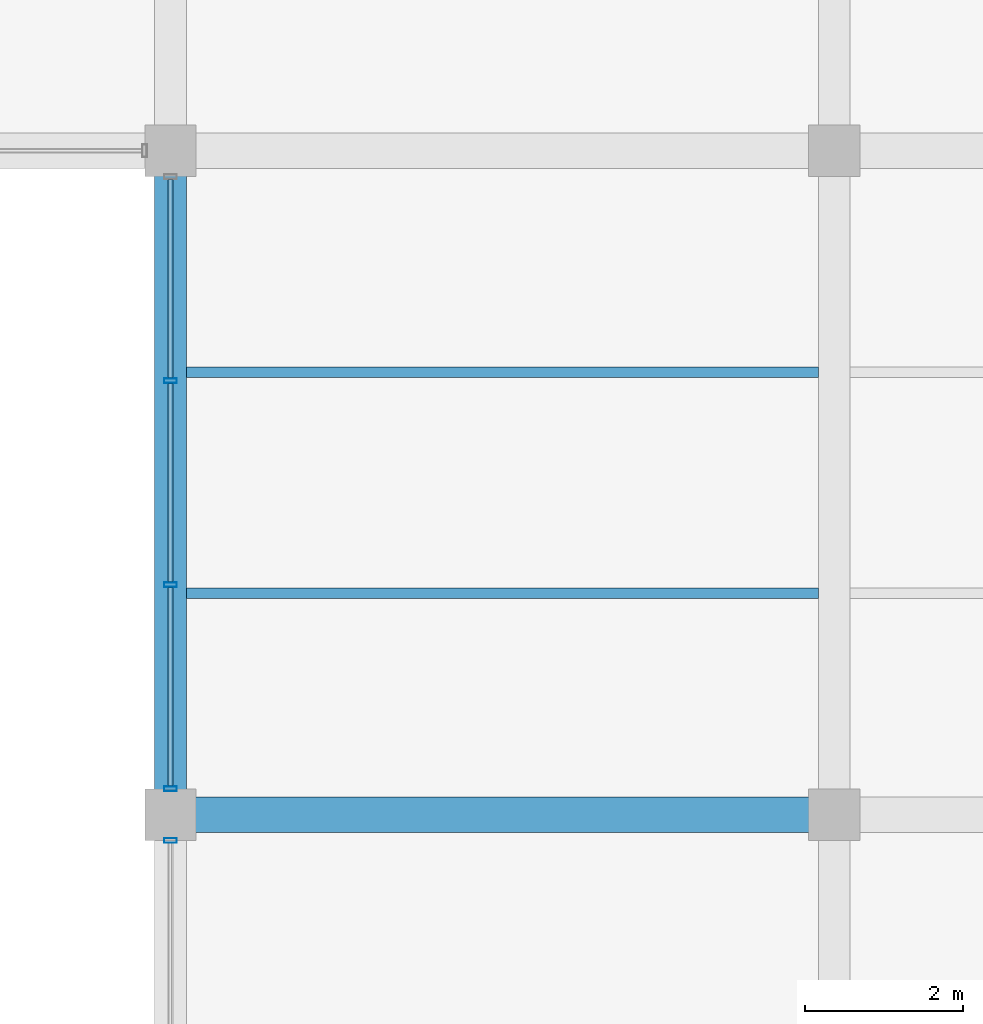
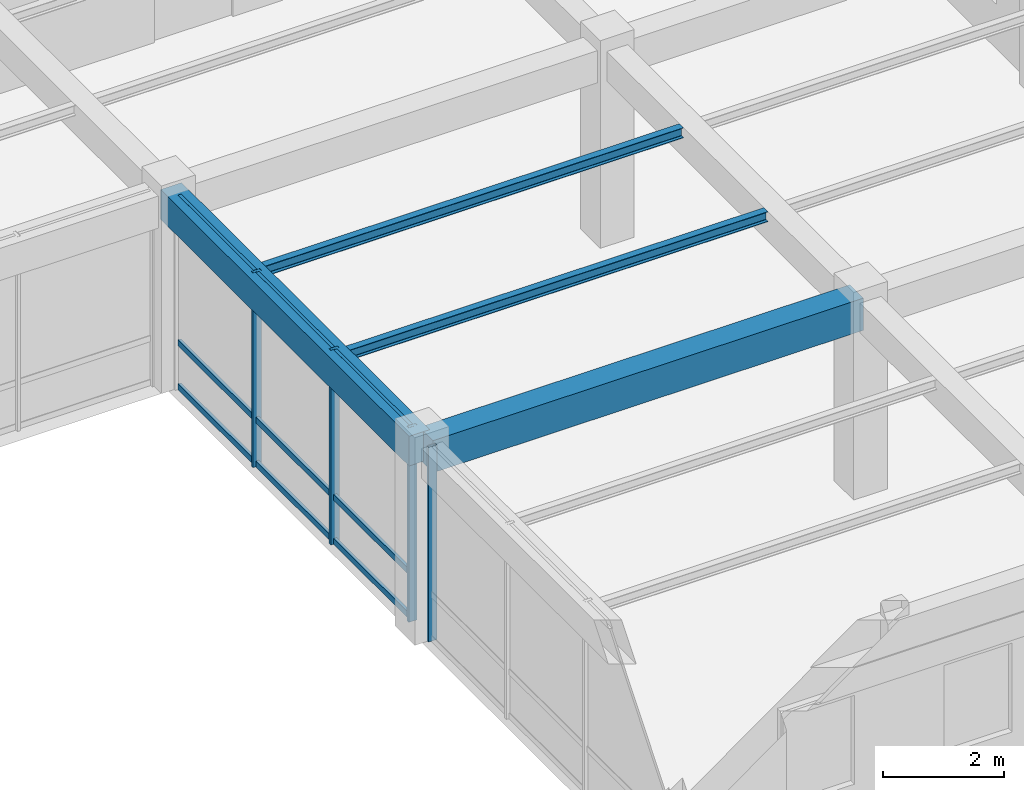
# One storey, part 18 of 138: 13 members, 4 beams, 2 elements without a shape of their own.
"""IFC4 building model written with IfcOpenShell, lengths in metres."""

from ifc_helpers import new_model, si_unit, direction, frame, origin, origin_2d, place, context, subcontext, project, spatial, rectangle, hollow_rectangle, i_section, extrude, material, material_profile, profile_set, type_object, element, aggregate, save


model = new_model("IFC4")

# Units and contexts
model_context = context("Model", 3, precision=1e-05, world=origin(), true_north=direction((0.0, 1.0)))
body_context = subcontext(model_context, "Body", "Model", "MODEL_VIEW")
ifc_project = project(units=[si_unit("LENGTHUNIT", "METRE"), si_unit("AREAUNIT", "SQUARE_METRE"), si_unit("VOLUMEUNIT", "CUBIC_METRE"), si_unit("PLANEANGLEUNIT", "RADIAN"), si_unit("MASSUNIT", "GRAM", prefix="KILO"), si_unit("THERMODYNAMICTEMPERATUREUNIT", "KELVIN"), si_unit("POWERUNIT", "WATT")], contexts=[model_context])

# Site, building, storey
site_placement = place(None, origin())
site = spatial("IfcSite", under=ifc_project, at=site_placement, CompositionType="ELEMENT")
building_placement = place(site_placement, origin())
building = spatial("IfcBuilding", under=site, at=building_placement, Name="Darbajah Civic Hall", CompositionType="ELEMENT")
storey_placement = place(building_placement, frame((0.0, 0.0, 9.60009765625)))
storey = spatial("IfcBuildingStorey", under=building, at=storey_placement, Name="L02", CompositionType="ELEMENT", Elevation=9.60009765625)

# Curtain wall, members
ifc_material_1 = material(Name="Anodised Bronze Aluminium and Low-E Glazing", Category="aluminium")
curtain_wall_type = type_object("IfcCurtainWallType", Name="Unitised Curtain Wall CW-99 7700x3950", PredefinedType="USERDEFINED", material=ifc_material_1)
curtain_wall_1_placement = place(storey_placement, origin())
curtain_wall_1 = element("IfcCurtainWall", 1, at=curtain_wall_1_placement, inside=storey, type_object=curtain_wall_type, Name="L02 unitised curtain wall CW-V5-L02-S3-B0", ObjectType="UNITISED CURTAIN WALL", PredefinedType="USERDEFINED")
ifc_material_2 = material(Name="Anodised Bronze Aluminium", Category="aluminium")
ifc_material_profile_1 = material_profile(ifc_material_2, hollow_rectangle(XDim=0.06005859375, YDim=0.159912109375, WallThickness=0.00341796875, at=origin_2d()), Name="ALU MULLION 60x160")
ifc_profile_set_1 = profile_set([ifc_material_profile_1], Name="Anodised Bronze Aluminium")
member_type_1 = type_object("IfcMemberType", Name="ALU MULLION 60x160", PredefinedType="MULLION", material=ifc_profile_set_1)
member_1_placement = place(storey_placement, frame((50.39990234375, 13.89111328125, 0.0), z_axis=(0.0, 0.0, 1.0), x_axis=(0.0, -1.0, 0.0)))
member_1 = element("IfcMember", 2, at=member_1_placement, type_object=member_type_1, Name="CW-V5-L02-S3-B0 mullion 2", PredefinedType="MULLION", context=body_context, shape_type="SweptSolid", body=[
    extrude(hollow_rectangle(XDim=0.06005859375, YDim=0.159912109375, WallThickness=0.00341796875, at=origin_2d()), origin(), (0.0, 0.0, 1.0), 3.93994140625),
])
member_2_placement = place(storey_placement, frame((50.39990234375, 11.30908203125, 0.0), z_axis=(0.0, 0.0, 1.0), x_axis=(0.0, -1.0, 0.0)))
member_2 = element("IfcMember", 3, at=member_2_placement, type_object=member_type_1, Name="CW-V5-L02-S3-B0 mullion 3", PredefinedType="MULLION", context=body_context, shape_type="SweptSolid", body=[
    extrude(hollow_rectangle(XDim=0.06005859375, YDim=0.159912109375, WallThickness=0.00341796875, at=origin_2d()), origin(), (0.0, 0.0, 1.0), 3.93994140625),
])
member_3_placement = place(storey_placement, frame((50.39990234375, 8.72705078125, 0.0), z_axis=(0.0, 0.0, 1.0), x_axis=(0.0, -1.0, 0.0)))
member_3 = element("IfcMember", 4, at=member_3_placement, type_object=member_type_1, Name="CW-V5-L02-S3-B0 mullion 4", PredefinedType="MULLION", context=body_context, shape_type="SweptSolid", body=[
    extrude(hollow_rectangle(XDim=0.06005859375, YDim=0.159912109375, WallThickness=0.00341796875, at=origin_2d()), origin(), (0.0, 0.0, 1.0), 3.93994140625),
])

# Curtain wall, member
curtain_wall_2_placement = place(storey_placement, origin())
curtain_wall_2 = element("IfcCurtainWall", 5, at=curtain_wall_2_placement, inside=storey, type_object=curtain_wall_type, Name="L02 unitised curtain wall CW-V5-L02-S3-B1", ObjectType="UNITISED CURTAIN WALL", PredefinedType="USERDEFINED")
member_4_placement = place(storey_placement, frame((50.39990234375, 8.072998046875, 0.0), z_axis=(0.0, 0.0, 1.0), x_axis=(0.0, -1.0, 0.0)))
member_4 = element("IfcMember", 6, at=member_4_placement, type_object=member_type_1, Name="CW-V5-L02-S3-B1 mullion 1", PredefinedType="MULLION", context=body_context, shape_type="SweptSolid", body=[
    extrude(hollow_rectangle(XDim=0.06005859375, YDim=0.159912109375, WallThickness=0.00341796875, at=origin_2d()), origin(), (0.0, 0.0, 1.0), 3.93994140625),
])
aggregate(curtain_wall_2, [member_4])

# Member
ifc_material_profile_2 = material_profile(ifc_material_2, hollow_rectangle(XDim=0.06005859375, YDim=0.1201171875, WallThickness=0.003173828125, at=origin_2d()), Name="ALU TRANSOM 60x120")
ifc_profile_set_2 = profile_set([ifc_material_profile_2], Name="Anodised Bronze Aluminium")
member_type_2 = type_object("IfcMemberType", Name="ALU TRANSOM 60x120", PredefinedType="USERDEFINED", material=ifc_profile_set_2)
member_5_placement = place(storey_placement, frame((50.39990234375, 16.43798828125, 0.059814453125), z_axis=(0.0, -1.0, 0.0), x_axis=(1.0, 0.0, 0.0)))
member_5 = element("IfcMember", 7, at=member_5_placement, type_object=member_type_2, Name="CW-V5-L02-S3-B0 transom 1.1", ObjectType="TRANSOM", PredefinedType="USERDEFINED", context=body_context, shape_type="SweptSolid", body=[
    extrude(hollow_rectangle(XDim=0.06005859375, YDim=0.1201171875, WallThickness=0.003173828125, at=origin_2d()), origin(), (0.0, 0.0, 1.0), 2.511962890625),
])

member_6_placement = place(storey_placement, frame((50.39990234375, 16.43798828125, 0.949951171875), z_axis=(0.0, -1.0, 0.0), x_axis=(1.0, 0.0, 0.0)))
member_6 = element("IfcMember", 8, at=member_6_placement, type_object=member_type_2, Name="CW-V5-L02-S3-B0 transom 1.2", ObjectType="TRANSOM", PredefinedType="USERDEFINED", context=body_context, shape_type="SweptSolid", body=[
    extrude(hollow_rectangle(XDim=0.06005859375, YDim=0.1201171875, WallThickness=0.003173828125, at=origin_2d()), origin(), (0.0, 0.0, 1.0), 2.511962890625),
])

member_7_placement = place(storey_placement, frame((50.39990234375, 16.43798828125, 3.8798828125), z_axis=(0.0, -1.0, 0.0), x_axis=(1.0, 0.0, 0.0)))
member_7 = element("IfcMember", 9, at=member_7_placement, type_object=member_type_2, Name="CW-V5-L02-S3-B0 transom 1.3", ObjectType="TRANSOM", PredefinedType="USERDEFINED", context=body_context, shape_type="SweptSolid", body=[
    extrude(hollow_rectangle(XDim=0.06005859375, YDim=0.1201171875, WallThickness=0.003173828125, at=origin_2d()), origin(), (0.0, 0.0, 1.0), 2.511962890625),
])

member_8_placement = place(storey_placement, frame((50.39990234375, 13.85595703125, 0.059814453125), z_axis=(0.0, -1.0, 0.0), x_axis=(1.0, 0.0, 0.0)))
member_8 = element("IfcMember", 10, at=member_8_placement, type_object=member_type_2, Name="CW-V5-L02-S3-B0 transom 2.1", ObjectType="TRANSOM", PredefinedType="USERDEFINED", context=body_context, shape_type="SweptSolid", body=[
    extrude(hollow_rectangle(XDim=0.06005859375, YDim=0.1201171875, WallThickness=0.003173828125, at=origin_2d()), origin(), (0.0, 0.0, 1.0), 2.511962890625),
])

member_9_placement = place(storey_placement, frame((50.39990234375, 13.85595703125, 0.949951171875), z_axis=(0.0, -1.0, 0.0), x_axis=(1.0, 0.0, 0.0)))
member_9 = element("IfcMember", 11, at=member_9_placement, type_object=member_type_2, Name="CW-V5-L02-S3-B0 transom 2.2", ObjectType="TRANSOM", PredefinedType="USERDEFINED", context=body_context, shape_type="SweptSolid", body=[
    extrude(hollow_rectangle(XDim=0.06005859375, YDim=0.1201171875, WallThickness=0.003173828125, at=origin_2d()), origin(), (0.0, 0.0, 1.0), 2.511962890625),
])

member_10_placement = place(storey_placement, frame((50.39990234375, 13.85595703125, 3.8798828125), z_axis=(0.0, -1.0, 0.0), x_axis=(1.0, 0.0, 0.0)))
member_10 = element("IfcMember", 12, at=member_10_placement, type_object=member_type_2, Name="CW-V5-L02-S3-B0 transom 2.3", ObjectType="TRANSOM", PredefinedType="USERDEFINED", context=body_context, shape_type="SweptSolid", body=[
    extrude(hollow_rectangle(XDim=0.06005859375, YDim=0.1201171875, WallThickness=0.003173828125, at=origin_2d()), origin(), (0.0, 0.0, 1.0), 2.511962890625),
])

member_11_placement = place(storey_placement, frame((50.39990234375, 11.27392578125, 0.059814453125), z_axis=(0.0, -1.0, 0.0), x_axis=(1.0, 0.0, 0.0)))
member_11 = element("IfcMember", 13, at=member_11_placement, type_object=member_type_2, Name="CW-V5-L02-S3-B0 transom 3.1", ObjectType="TRANSOM", PredefinedType="USERDEFINED", context=body_context, shape_type="SweptSolid", body=[
    extrude(hollow_rectangle(XDim=0.06005859375, YDim=0.1201171875, WallThickness=0.003173828125, at=origin_2d()), origin(), (0.0, 0.0, 1.0), 2.511962890625),
])

member_12_placement = place(storey_placement, frame((50.39990234375, 11.27392578125, 0.949951171875), z_axis=(0.0, -1.0, 0.0), x_axis=(1.0, 0.0, 0.0)))
member_12 = element("IfcMember", 14, at=member_12_placement, type_object=member_type_2, Name="CW-V5-L02-S3-B0 transom 3.2", ObjectType="TRANSOM", PredefinedType="USERDEFINED", context=body_context, shape_type="SweptSolid", body=[
    extrude(hollow_rectangle(XDim=0.06005859375, YDim=0.1201171875, WallThickness=0.003173828125, at=origin_2d()), origin(), (0.0, 0.0, 1.0), 2.511962890625),
])

member_13_placement = place(storey_placement, frame((50.39990234375, 11.27392578125, 3.8798828125), z_axis=(0.0, -1.0, 0.0), x_axis=(1.0, 0.0, 0.0)))
member_13 = element("IfcMember", 15, at=member_13_placement, type_object=member_type_2, Name="CW-V5-L02-S3-B0 transom 3.3", ObjectType="TRANSOM", PredefinedType="USERDEFINED", context=body_context, shape_type="SweptSolid", body=[
    extrude(hollow_rectangle(XDim=0.06005859375, YDim=0.1201171875, WallThickness=0.003173828125, at=origin_2d()), origin(), (0.0, 0.0, 1.0), 2.511962890625),
])

aggregate(curtain_wall_1, [member_1, member_2, member_3, member_5, member_6, member_7, member_8, member_9, member_10, member_11, member_12, member_13])

# Beams
ifc_material_3 = material(Name="Concrete C45/55", Category="concrete")
ifc_material_profile_3 = material_profile(ifc_material_3, rectangle(XDim=0.39990234375, YDim=0.60009765625, at=origin_2d()), Name="RC BEAM 400x600")
ifc_profile_set_3 = profile_set([ifc_material_profile_3], Name="Concrete C45/55")
beam_type_1 = type_object("IfcBeamType", Name="RC BEAM 400x600", PredefinedType="BEAM", material=ifc_profile_set_3)
beam_1_placement = place(storey_placement, frame((50.39990234375, 8.47998046875, 3.639892578125), z_axis=(0.0, 1.0, 0.0), x_axis=(-1.0, 0.0, 0.0)))
element("IfcBeam", 16, at=beam_1_placement, inside=storey, type_object=beam_type_1, Name="L02 beam BM-4060", PredefinedType="BEAM", context=body_context, shape_type="SweptSolid", body=[
    extrude(rectangle(XDim=0.39990234375, YDim=0.60009765625, at=origin_2d()), origin(), (0.0, 0.0, 1.0), 8.239990234375),
])
ifc_material_profile_4 = material_profile(ifc_material_3, rectangle(XDim=0.449951171875, YDim=0.64990234375, at=origin_2d()), Name="RC BEAM 450x650")
ifc_profile_set_4 = profile_set([ifc_material_profile_4], Name="Concrete C45/55")
beam_type_2 = type_object("IfcBeamType", Name="RC BEAM 450x650", PredefinedType="BEAM", material=ifc_profile_set_4)
beam_2_placement = place(storey_placement, frame((50.47998046875, 8.39990234375, 3.614990234375), z_axis=(1.0, 0.0, 0.0), x_axis=(0.0, 1.0, 0.0)))
element("IfcBeam", 17, at=beam_2_placement, inside=storey, type_object=beam_type_2, Name="L02 beam BM-4565", PredefinedType="BEAM", context=body_context, shape_type="SweptSolid", body=[
    extrude(rectangle(XDim=0.449951171875, YDim=0.64990234375, at=origin_2d()), origin(), (0.0, 0.0, 1.0), 8.239990234375),
])
ifc_material_4 = material(Name="Steel S355JR", Category="steel")
ifc_material_profile_5 = material_profile(ifc_material_4, i_section(OverallWidth=0.1337890625, OverallDepth=0.206787109375, WebThickness=0.00634765625, FlangeThickness=0.009521484375, FilletRadius=0.007568359375, at=origin_2d()), Name="UB 203x133x30")
ifc_profile_set_5 = profile_set([ifc_material_profile_5], Name="Steel S355JR")
beam_type_3 = type_object("IfcBeamType", Name="UB 203x133x30", PredefinedType="JOIST", material=ifc_profile_set_5)
for number, where, z_axis, x_axis, name in (
    (18, (50.60009765625, 11.199951171875, 3.83642578125), (1.0, 0.0, 0.0), (0.0, 1.0, 0.0), "L02 beam SJ-203"),
    (19, (50.60009765625, 14.0, 3.83642578125), (1.0, 0.0, 0.0), (0.0, 1.0, 0.0), "L02 beam SJ-203"),
):
    element("IfcBeam", number, at=place(storey_placement, frame(where, z_axis=z_axis, x_axis=x_axis)), inside=storey, type_object=beam_type_3, Name=name, PredefinedType="JOIST", context=body_context, shape_type="SweptSolid", body=[
        extrude(i_section(OverallWidth=0.1337890625, OverallDepth=0.206787109375, WebThickness=0.00634765625, FlangeThickness=0.009521484375, FilletRadius=0.007568359375, at=origin_2d()), origin(), (0.0, 0.0, 1.0), 8.0),
    ])

save(model, "model.ifc")
